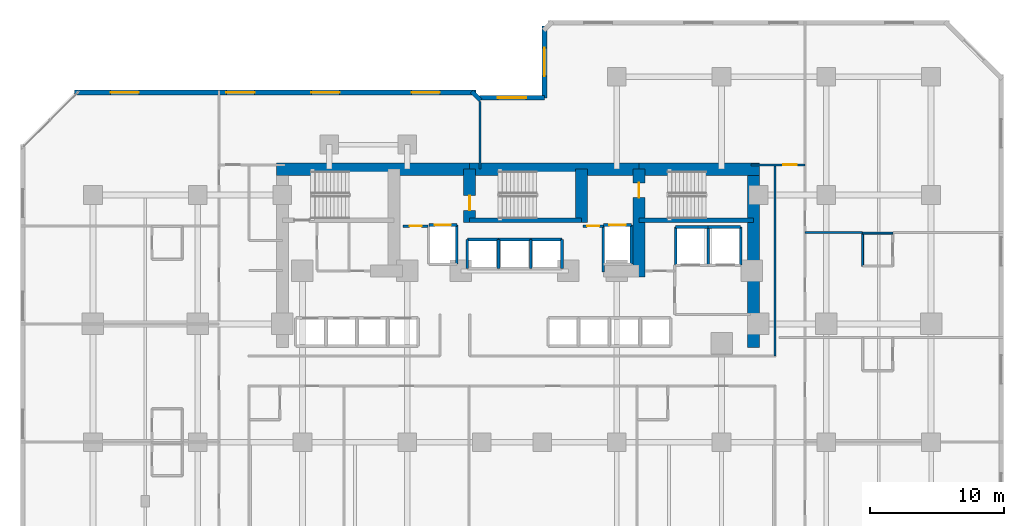
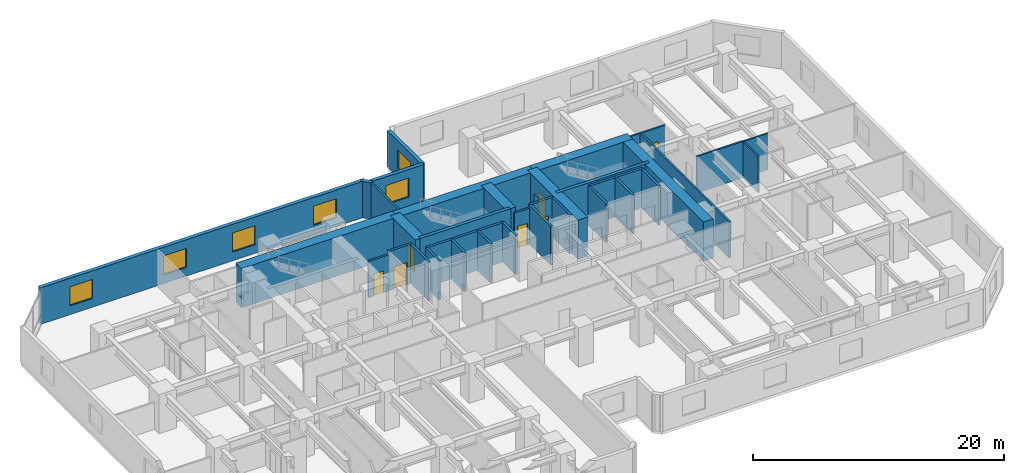
# One storey, part 8 of 11: 38 walls, 7 doors, 6 windows, 13 openings.
"""IFC4 building model written with IfcOpenShell, lengths in metres."""

import ifcopenshell
import ifcopenshell.guid

model = None  # the IFC model being written
_history = None  # IfcOwnerHistory: only IFC2X3 demands one
_inside = {}  # id of a spatial element -> (the spatial element, [elements in it])
_under = {}  # id of a project, library or spatial element -> (it, [spatial elements below it])
_declared = {}  # id of a project -> (the project, [libraries it declares])
_typed = {}  # id of a type object -> (the type object, [elements of that type])
_made_of = {}  # id of a material, layer set ... -> (it, [elements and type objects made of it])


def new_model(schema):
    """Start an empty IFC model of exactly this schema.

    Asked for "IFC4X3", IfcOpenShell would pick the latest addendum, in which some entities
    have other attributes; the version numbers below select the first issue.
    IFC2X3 requires an IfcOwnerHistory on every rooted entity: one is made here for all.
    """
    global model, _history
    if schema == "IFC4X3":
        model = ifcopenshell.file(schema_version=(4, 3, 0, 0))
    else:
        model = ifcopenshell.file(schema=schema)
    _inside.clear()
    _under.clear()
    _declared.clear()
    _typed.clear()
    _made_of.clear()
    _history = None
    if model.schema == "IFC2X3":
        org = make("IfcOrganization", Name="unknown")
        user = make(
            "IfcPersonAndOrganization",
            ThePerson=make("IfcPerson", FamilyName="unknown"),
            TheOrganization=org,
        )
        app = make(
            "IfcApplication",
            ApplicationDeveloper=org,
            Version="unknown",
            ApplicationFullName="unknown",
            ApplicationIdentifier="unknown",
        )
        _history = make(
            "IfcOwnerHistory",
            OwningUser=user,
            OwningApplication=app,
            ChangeAction="ADDED",
            CreationDate=0,
        )
    return model


def make(cls, **values):
    """One entity of the class cls with the attributes given. An attribute that is None is left unset."""
    return model.create_entity(
        cls, **{name: value for name, value in values.items() if value is not None}
    )


def rooted(cls, **values):
    """An entity with a GlobalId (a new one), such as an element, a storey or a relation."""
    return make(cls, GlobalId=ifcopenshell.guid.new(), OwnerHistory=_history, **values)


def si_unit(unit_type, name, prefix=None):
    """IfcSIUnit, for example si_unit("LENGTHUNIT", "METRE", prefix="MILLI")."""
    return make("IfcSIUnit", UnitType=unit_type, Prefix=prefix, Name=name)


def assignment(units):
    """IfcUnitAssignment: the units of a project."""
    return None if units is None else make("IfcUnitAssignment", Units=units)


def point(xyz):
    """IfcCartesianPoint."""
    return None if xyz is None else make("IfcCartesianPoint", Coordinates=xyz)


def direction(xyz):
    """IfcDirection."""
    return None if xyz is None else make("IfcDirection", DirectionRatios=xyz)


def frame(location, z_axis=None, x_axis=None):
    """IfcAxis2Placement3D, a coordinate frame: its origin and axes. An axis left out is left unset."""
    return make(
        "IfcAxis2Placement3D",
        Location=point(location),
        Axis=direction(z_axis),
        RefDirection=direction(x_axis),
    )


def frame_2d(location, x_axis=None):
    """IfcAxis2Placement2D, a coordinate frame in the plane: its origin and x axis."""
    return make(
        "IfcAxis2Placement2D", Location=point(location), RefDirection=direction(x_axis)
    )


def origin():
    """The frame at (0, 0, 0) with its axes left unset."""
    return frame((0.0, 0.0, 0.0))


def place(relative_to, where):
    """IfcLocalPlacement: puts the frame where relative to a parent placement (None: the world)."""
    return make(
        "IfcLocalPlacement", PlacementRelTo=relative_to, RelativePlacement=where
    )


def context(
    kind, dimensions, precision=None, world=None, true_north=None, identifier=None
):
    """IfcGeometricRepresentationContext, for example the 3D "Model" context."""
    return make(
        "IfcGeometricRepresentationContext",
        ContextIdentifier=identifier,
        ContextType=kind,
        CoordinateSpaceDimension=dimensions,
        Precision=precision,
        WorldCoordinateSystem=world,
        TrueNorth=true_north,
    )


def subcontext(parent, identifier, kind, view, scale=None):
    """IfcGeometricRepresentationSubContext, for example "Body" below "Model"."""
    return make(
        "IfcGeometricRepresentationSubContext",
        ContextIdentifier=identifier,
        ContextType=kind,
        ParentContext=parent,
        TargetScale=scale,
        TargetView=view,
    )


def project(units=None, contexts=None):
    """IfcProject with its units and contexts."""
    return rooted(
        "IfcProject",
        Name="project",
        RepresentationContexts=contexts,
        UnitsInContext=assignment(units),
    )


def spatial(cls, under=None, at=None, **own):
    """A site, building, storey or space (cls), placed at a placement, below another one or the project."""
    s = rooted(cls, ObjectPlacement=at, **own)
    if under is not None:
        _under.setdefault(under.id(), (under, []))[1].append(s)
    return s


def profile(cls, at=None, kind="AREA", **sizes):
    """A parametric profile (cls). Its sizes go by their IFC names, for example OverallWidth=200.0."""
    return make(cls, ProfileType=kind, Position=at, **sizes)


def rectangle(**sizes):
    """IfcRectangleProfileDef."""
    return profile("IfcRectangleProfileDef", **sizes)


def extrude(swept, where, along, depth):
    """IfcExtrudedAreaSolid: the profile swept, set in the frame where, extruded along a direction by depth."""
    return make(
        "IfcExtrudedAreaSolid",
        SweptArea=swept,
        Position=where,
        ExtrudedDirection=direction(along),
        Depth=depth,
    )


def shape(context_of_items, identifier, shape_type, items):
    """IfcShapeRepresentation: the items that make up one representation, for example the "Body"."""
    return make(
        "IfcShapeRepresentation",
        ContextOfItems=context_of_items,
        RepresentationIdentifier=identifier,
        RepresentationType=shape_type,
        Items=items,
    )


def material(Name=None, Category=None):
    """IfcMaterial."""
    return make("IfcMaterial", Name=Name, Category=Category)


def layer(
    of_material, thickness, ventilated=None, Name=None, Category=None, Priority=None
):
    """IfcMaterialLayer: one layer of a wall or slab, of a material (None: an air gap)."""
    return make(
        "IfcMaterialLayer",
        Material=of_material,
        LayerThickness=thickness,
        IsVentilated=ventilated,
        Name=Name,
        Category=Category,
        Priority=Priority,
    )


def layer_set(layers, Name=None):
    """IfcMaterialLayerSet."""
    return make("IfcMaterialLayerSet", MaterialLayers=layers, LayerSetName=Name)


def made_of(thing, what):
    """Note that an element or type object is made of a material, layer set ...; save() writes the relation."""
    if what is not None:
        _made_of.setdefault(what.id(), (what, []))[1].append(thing)
    return thing


def type_object(cls, material=None, **own):
    """A type object (cls), such as IfcWallType, which elements share."""
    return made_of(rooted(cls, **own), material)


def element(
    cls,
    number,
    at=None,
    inside=None,
    cuts=None,
    type_object=None,
    material=None,
    context=None,
    identifier="Body",
    shape_type=None,
    held_by="IfcProductDefinitionShape",
    body=None,
    shapes=None,
    **own,
):
    """One element of the class cls, such as IfcWall. Its Tag is "e" and its number.

    at: its placement. inside: the storey or other place that contains it. cuts: it is an
    opening in that element (IfcRelVoidsElement). A single representation is given by context,
    identifier, shape_type and body (its items); several are given by shapes. held_by: the class
    of the entity that holds the representations. save() writes the other relations.
    """
    e = rooted(cls, Tag="e%d" % number, ObjectPlacement=at, **own)
    if body is not None:
        shapes = [shape(context, identifier, shape_type, body)]
    if shapes is not None:
        e.Representation = make(held_by, Representations=shapes)
    if inside is not None:
        _inside.setdefault(inside.id(), (inside, []))[1].append(e)
    if cuts is not None:
        rooted(
            "IfcRelVoidsElement", RelatingBuildingElement=cuts, RelatedOpeningElement=e
        )
    if type_object is not None:
        _typed.setdefault(type_object.id(), (type_object, []))[1].append(e)
    return made_of(e, material)


def fill(opening, filler):
    """IfcRelFillsElement: the door or window that sits in an opening."""
    return rooted(
        "IfcRelFillsElement",
        RelatingOpeningElement=opening,
        RelatedBuildingElement=filler,
    )


def aggregate(whole, parts):
    """IfcRelAggregates: a whole, such as a stair, and the parts it consists of."""
    return rooted("IfcRelAggregates", RelatingObject=whole, RelatedObjects=parts)


def save(model, path):
    """Write the relations noted so far, then the file.

    IfcRelAggregates (storeys below a building ...), IfcRelContainedInSpatialStructure (elements
    in a storey), IfcRelDefinesByType, IfcRelAssociatesMaterial and IfcRelDeclares: one each for
    every whole, place, type object, material and project.
    """
    for whole, parts in _under.values():
        aggregate(whole, parts)
    for where, things in _inside.values():
        rooted(
            "IfcRelContainedInSpatialStructure",
            RelatedElements=things,
            RelatingStructure=where,
        )
    for kind, things in _typed.values():
        rooted("IfcRelDefinesByType", RelatedObjects=things, RelatingType=kind)
    for what, things in _made_of.values():
        rooted("IfcRelAssociatesMaterial", RelatedObjects=things, RelatingMaterial=what)
    for by, libraries in _declared.values():
        rooted("IfcRelDeclares", RelatingContext=by, RelatedDefinitions=libraries)
    model.write(path)


model = new_model("IFC4")

# Units and contexts
model_context = context("Model", 3, precision=1e-05, world=origin(), true_north=direction((0.0, 1.0)))
body_context = subcontext(model_context, "Body", "Model", "MODEL_VIEW")
ifc_project = project(units=[si_unit("LENGTHUNIT", "METRE"), si_unit("AREAUNIT", "SQUARE_METRE"), si_unit("VOLUMEUNIT", "CUBIC_METRE"), si_unit("PLANEANGLEUNIT", "RADIAN"), si_unit("MASSUNIT", "GRAM", prefix="KILO")], contexts=[model_context])

# Site, building, storey
site_placement = place(None, origin())
site = spatial("IfcSite", under=ifc_project, at=site_placement, CompositionType="ELEMENT")
building_placement = place(site_placement, origin())
building = spatial("IfcBuilding", under=site, at=building_placement, Name="Kestravale Grand Hotel", CompositionType="ELEMENT")
storey_placement = place(building_placement, frame((0.0, 0.0, 37.39990234375)))
storey = spatial("IfcBuildingStorey", under=building, at=storey_placement, Name="L08", CompositionType="ELEMENT", Elevation=37.39990234375)

# Walls
ifc_material_1 = material(Name="Concrete f'c 70 MPa", Category="concrete")
ifc_layer_1 = layer(ifc_material_1, 0.89990234375)
ifc_layer_set_1 = layer_set([ifc_layer_1], Name="EW-CORE-900")
wall_type_1 = type_object("IfcWallType", Name="EW-CORE-900", PredefinedType="SHEAR", material=ifc_layer_set_1)
wall_1_placement = place(storey_placement, frame((21.449951171875, 40.320068359375, 0.0), z_axis=(0.0, 0.0, 1.0), x_axis=(1.0, 0.0, 0.0)))
element("IfcWall", 1, at=wall_1_placement, inside=storey, type_object=wall_type_1, Name="L08 core shear wall N1", PredefinedType="SHEAR", context=body_context, shape_type="SweptSolid", body=[
    extrude(rectangle(XDim=14.400146484375, YDim=0.89990234375, at=frame_2d((7.2001953125, 0.0))), origin(), (0.0, 0.0, 1.0), 3.800048828125),
])
wall_2_placement = place(storey_placement, frame((35.85009765625, 40.320068359375, 0.0), z_axis=(0.0, 0.0, 1.0), x_axis=(1.0, 0.0, 0.0)))
element("IfcWall", 2, at=wall_2_placement, inside=storey, type_object=wall_type_1, Name="L08 core shear wall N2", PredefinedType="SHEAR", context=body_context, shape_type="SweptSolid", body=[
    extrude(rectangle(XDim=12.599853515625, YDim=0.89990234375, at=frame_2d((6.2998046875, 0.0))), origin(), (0.0, 0.0, 1.0), 3.800048828125),
])
wall_3_placement = place(storey_placement, frame((48.449951171875, 40.320068359375, 0.0), z_axis=(0.0, 0.0, 1.0), x_axis=(1.0, 0.0, 0.0)))
element("IfcWall", 3, at=wall_3_placement, inside=storey, type_object=wall_type_1, Name="L08 core shear wall N3", PredefinedType="SHEAR", context=body_context, shape_type="SweptSolid", body=[
    extrude(rectangle(XDim=8.969970703125, YDim=0.89990234375, at=frame_2d((4.48486328125, 0.0))), origin(), (0.0, 0.0, 1.0), 3.800048828125),
])
wall_4_placement = place(storey_placement, frame((56.969970703125, 27.050048828125, 0.0), z_axis=(0.0, 0.0, 1.0), x_axis=(0.0, 1.0, 0.0)))
element("IfcWall", 4, at=wall_4_placement, inside=storey, type_object=wall_type_1, Name="L08 core shear wall E1", PredefinedType="SHEAR", context=body_context, shape_type="SweptSolid", body=[
    extrude(rectangle(XDim=13.719970703125, YDim=0.89990234375, at=frame_2d((6.85986328125, 0.0))), origin(), (0.0, 0.0, 1.0), 3.800048828125),
])

# Wall, opening, door
wall_5_placement = place(storey_placement, frame((35.85009765625, 36.3701171875, 0.0), z_axis=(0.0, 0.0, 1.0), x_axis=(0.0, 1.0, 0.0)))
wall_5 = element("IfcWall", 5, at=wall_5_placement, inside=storey, type_object=wall_type_1, Name="L08 core shear wall X2", PredefinedType="SHEAR", context=body_context, shape_type="SweptSolid", body=[
    extrude(rectangle(XDim=3.949951171875, YDim=0.89990234375, at=frame_2d((1.97509765625, 0.0))), origin(), (0.0, 0.0, 1.0), 3.800048828125),
])
opening_1_placement = place(wall_5_placement, frame((0.8798828125, 0.0, 0.0)))
opening_1 = element("IfcOpeningElement", 6, at=opening_1_placement, cuts=wall_5, Name="Opening D-ST-1100", PredefinedType="OPENING", context=body_context, shape_type="SweptSolid", body=[
    extrude(rectangle(XDim=1.10009765625, YDim=2.14990234375, at=frame_2d((0.550048828125, 1.074951171875))), frame((0.0, 0.4599609375, 0.0), z_axis=(0.0, -1.0, 0.0), x_axis=(1.0, 0.0, 0.0)), (0.0, 0.0, 1.0), 0.919921875),
])
ifc_material_2 = material(Name="Galvanised 90-minute fire-rated steel stair door", Category="steel")
door_type_1 = type_object("IfcDoorType", Name="D-ST-1100", OperationType="NOTDEFINED", PredefinedType="DOOR", material=ifc_material_2)
door_1_placement = place(opening_1_placement, origin())
door_1 = element("IfcDoor", 7, at=door_1_placement, inside=storey, type_object=door_type_1, Name="L08 Stair ST-2 FSAE fire door", OperationType="SINGLE_SWING_RIGHT", OverallHeight=2.14990234375, OverallWidth=1.10009765625, PredefinedType="DOOR", context=body_context, shape_type="SweptSolid", body=[
    extrude(rectangle(XDim=1.10009765625, YDim=2.14990234375, at=frame_2d((0.550048828125, 1.074951171875))), frame((0.0, 0.02490234375, 0.0), z_axis=(0.0, -1.0, 0.0), x_axis=(1.0, 0.0, 0.0)), (0.0, 0.0, 1.0), 0.050048828125),
])
fill(opening_1, door_1)

# Wall
wall_6_placement = place(storey_placement, frame((44.179931640625, 36.3701171875, 0.0), z_axis=(0.0, 0.0, 1.0), x_axis=(0.0, 1.0, 0.0)))
element("IfcWall", 8, at=wall_6_placement, inside=storey, type_object=wall_type_1, Name="L08 core shear wall X3", PredefinedType="SHEAR", context=body_context, shape_type="SweptSolid", body=[
    extrude(rectangle(XDim=3.949951171875, YDim=0.89990234375, at=frame_2d((1.97509765625, 0.0))), origin(), (0.0, 0.0, 1.0), 3.800048828125),
])

# Wall, opening, door
wall_7_placement = place(storey_placement, frame((48.449951171875, 32.300048828125, 0.0), z_axis=(0.0, 0.0, 1.0), x_axis=(0.0, 1.0, 0.0)))
wall_7 = element("IfcWall", 9, at=wall_7_placement, inside=storey, type_object=wall_type_1, Name="L08 core shear wall X4", PredefinedType="SHEAR", context=body_context, shape_type="SweptSolid", body=[
    extrude(rectangle(XDim=8.02001953125, YDim=0.89990234375, at=frame_2d((4.010009765625, 0.0))), origin(), (0.0, 0.0, 1.0), 3.800048828125),
])
opening_2_placement = place(wall_7_placement, frame((5.89990234375, 0.0, 0.0)))
opening_2 = element("IfcOpeningElement", 10, at=opening_2_placement, cuts=wall_7, Name="Opening D-ST-1100", PredefinedType="OPENING", context=body_context, shape_type="SweptSolid", body=[
    extrude(rectangle(XDim=1.10009765625, YDim=2.14990234375, at=frame_2d((0.550048828125, 1.074951171875))), frame((0.0, 0.4599609375, 0.0), z_axis=(0.0, -1.0, 0.0), x_axis=(1.0, 0.0, 0.0)), (0.0, 0.0, 1.0), 0.919921875),
])
door_2_placement = place(opening_2_placement, origin())
door_2 = element("IfcDoor", 11, at=door_2_placement, inside=storey, type_object=door_type_1, Name="L08 Stair ST-3 FSAE fire door", OperationType="SINGLE_SWING_RIGHT", OverallHeight=2.14990234375, OverallWidth=1.10009765625, PredefinedType="DOOR", context=body_context, shape_type="SweptSolid", body=[
    extrude(rectangle(XDim=1.10009765625, YDim=2.14990234375, at=frame_2d((0.550048828125, 1.074951171875))), frame((0.0, 0.02490234375, 0.0), z_axis=(0.0, -1.0, 0.0), x_axis=(1.0, 0.0, 0.0)), (0.0, 0.0, 1.0), 0.050048828125),
])
fill(opening_2, door_2)

# Wall, opening, window
ifc_material_3 = material(Name="Precast concrete f'c 45 MPa", Category="concrete")
ifc_layer_2 = layer(ifc_material_3, 0.340087890625)
ifc_layer_set_2 = layer_set([ifc_layer_2], Name="EW-PREC-340")
wall_type_2 = type_object("IfcWallType", Name="EW-PREC-340", PredefinedType="SOLIDWALL", material=ifc_layer_set_2)
wall_8_placement = place(storey_placement, frame((41.419921875, 50.969970703125, 0.0), z_axis=(0.0, 0.0, 1.0), x_axis=(0.0, -1.0, 0.0)))
wall_8 = element("IfcWall", 12, at=wall_8_placement, inside=storey, type_object=wall_type_2, Name="L08 fluted precast facade wall 13", PredefinedType="SOLIDWALL", context=body_context, shape_type="SweptSolid", body=[
    extrude(rectangle(XDim=5.340087890625, YDim=0.340087890625, at=frame_2d((2.669921875, 0.0))), origin(), (0.0, 0.0, 1.0), 3.5400390625),
])
opening_3_placement = place(wall_8_placement, frame((1.6201171875, 0.0, 0.85009765625)))
opening_3 = element("IfcOpeningElement", 13, at=opening_3_placement, cuts=wall_8, Name="Opening W-GUEST-2100", PredefinedType="OPENING", context=body_context, shape_type="SweptSolid", body=[
    extrude(rectangle(XDim=2.10009765625, YDim=1.85009765625, at=frame_2d((1.050048828125, 0.925048828125))), frame((0.0, 0.179931640625, 0.0), z_axis=(0.0, -1.0, 0.0), x_axis=(1.0, 0.0, 0.0)), (0.0, 0.0, 1.0), 0.360107421875),
])
ifc_material_4 = material(Name="Insulated low-E double glazing in aluminium frame", Category="aluminium")
window_type = type_object("IfcWindowType", Name="W-GUEST-2100", PartitioningType="DOUBLE_PANEL_VERTICAL", PredefinedType="WINDOW", material=ifc_material_4)
window_1_placement = place(opening_3_placement, origin())
window_1 = element("IfcWindow", 14, at=window_1_placement, inside=storey, type_object=window_type, Name="L08 exterior window 13.1", OverallHeight=1.85009765625, OverallWidth=2.10009765625, PartitioningType="SINGLE_PANEL", PredefinedType="WINDOW", context=body_context, shape_type="SweptSolid", body=[
    extrude(rectangle(XDim=2.10009765625, YDim=1.85009765625, at=frame_2d((1.050048828125, 0.925048828125))), frame((0.0, 0.030029296875, 0.0), z_axis=(0.0, -1.0, 0.0), x_axis=(1.0, 0.0, 0.0)), (0.0, 0.0, 1.0), 0.06005859375),
])
fill(opening_3, window_1)

wall_9_placement = place(storey_placement, frame((41.419921875, 45.6298828125, 0.0), z_axis=(0.0, 0.0, 1.0), x_axis=(-1.0, 0.0, 0.0)))
wall_9 = element("IfcWall", 15, at=wall_9_placement, inside=storey, type_object=wall_type_2, Name="L08 fluted precast facade wall 14", PredefinedType="SOLIDWALL", context=body_context, shape_type="SweptSolid", body=[
    extrude(rectangle(XDim=4.83984375, YDim=0.340087890625, at=frame_2d((2.419921875, 0.0))), origin(), (0.0, 0.0, 1.0), 3.5400390625),
])
opening_4_placement = place(wall_9_placement, frame((1.3701171875, 0.0, 0.85009765625)))
opening_4 = element("IfcOpeningElement", 16, at=opening_4_placement, cuts=wall_9, Name="Opening W-GUEST-2100", PredefinedType="OPENING", context=body_context, shape_type="SweptSolid", body=[
    extrude(rectangle(XDim=2.10009765625, YDim=1.85009765625, at=frame_2d((1.050048828125, 0.925048828125))), frame((0.0, 0.179931640625, 0.0), z_axis=(0.0, -1.0, 0.0), x_axis=(1.0, 0.0, 0.0)), (0.0, 0.0, 1.0), 0.360107421875),
])
window_2_placement = place(opening_4_placement, origin())
window_2 = element("IfcWindow", 17, at=window_2_placement, inside=storey, type_object=window_type, Name="L08 exterior window 14.1", OverallHeight=1.85009765625, OverallWidth=2.10009765625, PartitioningType="SINGLE_PANEL", PredefinedType="WINDOW", context=body_context, shape_type="SweptSolid", body=[
    extrude(rectangle(XDim=2.10009765625, YDim=1.85009765625, at=frame_2d((1.050048828125, 0.925048828125))), frame((0.0, 0.030029296875, 0.0), z_axis=(0.0, -1.0, 0.0), x_axis=(1.0, 0.0, 0.0)), (0.0, 0.0, 1.0), 0.06005859375),
])
fill(opening_4, window_2)

# Wall
wall_10_placement = place(storey_placement, frame((36.658203125, 45.451416015625, 0.0), z_axis=(0.0, 0.0, 1.0), x_axis=(-0.707106781187, 0.707106781187, 0.0)))
element("IfcWall", 18, at=wall_10_placement, inside=storey, type_object=wall_type_2, Name="L08 fluted precast facade wall 16", PredefinedType="SOLIDWALL", context=body_context, shape_type="SweptSolid", body=[
    extrude(rectangle(XDim=0.9287109375, YDim=0.340087890625, at=frame_2d((0.46435546875, 0.0))), origin(), (0.0, 0.0, 1.0), 3.5400390625),
])

# Wall, openings, windows
wall_11_placement = place(storey_placement, frame((36.320068359375, 46.030029296875, 0.0), z_axis=(0.0, 0.0, 1.0), x_axis=(-1.0, 0.0, 0.0)))
wall_11 = element("IfcWall", 19, at=wall_11_placement, inside=storey, type_object=wall_type_2, Name="L08 fluted precast facade wall 17", PredefinedType="SOLIDWALL", context=body_context, shape_type="SweptSolid", body=[
    extrude(rectangle(XDim=29.89013671875, YDim=0.340087890625, at=frame_2d((14.945068359375, 0.0))), origin(), (0.0, 0.0, 1.0), 3.5400390625),
])
opening_5_placement = place(wall_11_placement, frame((2.686279296875, 0.0, 0.85009765625)))
opening_5 = element("IfcOpeningElement", 20, at=opening_5_placement, cuts=wall_11, Name="Opening W-GUEST-2100", PredefinedType="OPENING", context=body_context, shape_type="SweptSolid", body=[
    extrude(rectangle(XDim=2.10009765625, YDim=1.85009765625, at=frame_2d((1.050048828125, 0.925048828125))), frame((0.0, 0.179931640625, 0.0), z_axis=(0.0, -1.0, 0.0), x_axis=(1.0, 0.0, 0.0)), (0.0, 0.0, 1.0), 0.360107421875),
])
opening_6_placement = place(wall_11_placement, frame((10.15869140625, 0.0, 0.85009765625)))
opening_6 = element("IfcOpeningElement", 21, at=opening_6_placement, cuts=wall_11, Name="Opening W-GUEST-2100", PredefinedType="OPENING", context=body_context, shape_type="SweptSolid", body=[
    extrude(rectangle(XDim=2.10009765625, YDim=1.85009765625, at=frame_2d((1.050048828125, 0.925048828125))), frame((0.0, 0.179931640625, 0.0), z_axis=(0.0, -1.0, 0.0), x_axis=(1.0, 0.0, 0.0)), (0.0, 0.0, 1.0), 0.360107421875),
])
opening_7_placement = place(wall_11_placement, frame((16.481201171875, 0.0, 0.85009765625)))
opening_7 = element("IfcOpeningElement", 22, at=opening_7_placement, cuts=wall_11, Name="Opening W-GUEST-2100", PredefinedType="OPENING", context=body_context, shape_type="SweptSolid", body=[
    extrude(rectangle(XDim=2.10009765625, YDim=1.85009765625, at=frame_2d((1.050048828125, 0.925048828125))), frame((0.0, 0.179931640625, 0.0), z_axis=(0.0, -1.0, 0.0), x_axis=(1.0, 0.0, 0.0)), (0.0, 0.0, 1.0), 0.360107421875),
])
opening_8_placement = place(wall_11_placement, frame((25.103759765625, 0.0, 0.85009765625)))
opening_8 = element("IfcOpeningElement", 23, at=opening_8_placement, cuts=wall_11, Name="Opening W-GUEST-2100", PredefinedType="OPENING", context=body_context, shape_type="SweptSolid", body=[
    extrude(rectangle(XDim=2.10009765625, YDim=1.85009765625, at=frame_2d((1.050048828125, 0.925048828125))), frame((0.0, 0.179931640625, 0.0), z_axis=(0.0, -1.0, 0.0), x_axis=(1.0, 0.0, 0.0)), (0.0, 0.0, 1.0), 0.360107421875),
])
window_3_placement = place(opening_5_placement, origin())
window_3 = element("IfcWindow", 24, at=window_3_placement, inside=storey, type_object=window_type, Name="L08 exterior window 17.1", OverallHeight=1.85009765625, OverallWidth=2.10009765625, PartitioningType="SINGLE_PANEL", PredefinedType="WINDOW", context=body_context, shape_type="SweptSolid", body=[
    extrude(rectangle(XDim=2.10009765625, YDim=1.85009765625, at=frame_2d((1.050048828125, 0.925048828125))), frame((0.0, 0.030029296875, 0.0), z_axis=(0.0, -1.0, 0.0), x_axis=(1.0, 0.0, 0.0)), (0.0, 0.0, 1.0), 0.06005859375),
])
fill(opening_5, window_3)
window_4_placement = place(opening_6_placement, origin())
window_4 = element("IfcWindow", 25, at=window_4_placement, inside=storey, type_object=window_type, Name="L08 exterior window 17.2", OverallHeight=1.85009765625, OverallWidth=2.10009765625, PartitioningType="SINGLE_PANEL", PredefinedType="WINDOW", context=body_context, shape_type="SweptSolid", body=[
    extrude(rectangle(XDim=2.10009765625, YDim=1.85009765625, at=frame_2d((1.050048828125, 0.925048828125))), frame((0.0, 0.030029296875, 0.0), z_axis=(0.0, -1.0, 0.0), x_axis=(1.0, 0.0, 0.0)), (0.0, 0.0, 1.0), 0.06005859375),
])
fill(opening_6, window_4)
window_5_placement = place(opening_7_placement, origin())
window_5 = element("IfcWindow", 26, at=window_5_placement, inside=storey, type_object=window_type, Name="L08 exterior window 17.3", OverallHeight=1.85009765625, OverallWidth=2.10009765625, PartitioningType="SINGLE_PANEL", PredefinedType="WINDOW", context=body_context, shape_type="SweptSolid", body=[
    extrude(rectangle(XDim=2.10009765625, YDim=1.85009765625, at=frame_2d((1.050048828125, 0.925048828125))), frame((0.0, 0.030029296875, 0.0), z_axis=(0.0, -1.0, 0.0), x_axis=(1.0, 0.0, 0.0)), (0.0, 0.0, 1.0), 0.06005859375),
])
fill(opening_7, window_5)
window_6_placement = place(opening_8_placement, origin())
window_6 = element("IfcWindow", 27, at=window_6_placement, inside=storey, type_object=window_type, Name="L08 exterior window 17.4", OverallHeight=1.85009765625, OverallWidth=2.10009765625, PartitioningType="SINGLE_PANEL", PredefinedType="WINDOW", context=body_context, shape_type="SweptSolid", body=[
    extrude(rectangle(XDim=2.10009765625, YDim=1.85009765625, at=frame_2d((1.050048828125, 0.925048828125))), frame((0.0, 0.030029296875, 0.0), z_axis=(0.0, -1.0, 0.0), x_axis=(1.0, 0.0, 0.0)), (0.0, 0.0, 1.0), 0.06005859375),
])
fill(opening_8, window_6)

# Walls
ifc_material_5 = material(Name="Concrete f'c 45 MPa", Category="concrete")
ifc_layer_3 = layer(ifc_material_5, 0.300048828125)
ifc_layer_set_3 = layer_set([ifc_layer_3], Name="EW-STAIR-300")
wall_type_3 = type_object("IfcWallType", Name="EW-STAIR-300", PredefinedType="SHEAR", material=ifc_layer_set_3)
wall_12_placement = place(storey_placement, frame((35.85009765625, 36.52001953125, 0.0), z_axis=(0.0, 0.0, 1.0), x_axis=(1.0, 0.0, 0.0)))
element("IfcWall", 28, at=wall_12_placement, inside=storey, type_object=wall_type_3, Name="L08 stair enclosure shear wall SST2", PredefinedType="SHEAR", context=body_context, shape_type="SweptSolid", body=[
    extrude(rectangle(XDim=8.329833984375, YDim=0.300048828125, at=frame_2d((4.1650390625, 0.0))), origin(), (0.0, 0.0, 1.0), 3.800048828125),
])
wall_13_placement = place(storey_placement, frame((48.449951171875, 36.52001953125, 0.0), z_axis=(0.0, 0.0, 1.0), x_axis=(1.0, 0.0, 0.0)))
element("IfcWall", 29, at=wall_13_placement, inside=storey, type_object=wall_type_3, Name="L08 stair enclosure shear wall SST3", PredefinedType="SHEAR", context=body_context, shape_type="SweptSolid", body=[
    extrude(rectangle(XDim=8.52001953125, YDim=0.300048828125, at=frame_2d((4.260009765625, 0.0))), origin(), (0.0, 0.0, 1.0), 3.800048828125),
])
ifc_material_6 = material(Name="Acoustic fire-rated gypsum board partition", Category="other")
ifc_layer_4 = layer(ifc_material_6, 0.159912109375)
ifc_layer_set_4 = layer_set([ifc_layer_4], Name="IW-CORR-160")
wall_type_4 = type_object("IfcWallType", Name="IW-CORR-160", PredefinedType="PARTITIONING", material=ifc_layer_set_4)
wall_14_placement = place(storey_placement, frame((58.590087890625, 26.409912109375, 0.0), z_axis=(0.0, 0.0, 1.0), x_axis=(0.0, 1.0, 0.0)))
element("IfcWall", 30, at=wall_14_placement, inside=storey, type_object=wall_type_4, Name="W-L08-SE-WU", PredefinedType="PARTITIONING", context=body_context, shape_type="SweptSolid", body=[
    extrude(rectangle(XDim=14.239990234375, YDim=0.159912109375, at=frame_2d((7.1201171875, 0.0))), origin(), (0.0, 0.0, 1.0), 3.5400390625),
])

# Wall, opening, door
ifc_material_7 = material(Name="Fire-rated gypsum board on steel studs with mineral wool", Category="steel")
ifc_layer_5 = layer(ifc_material_7, 0.179931640625)
ifc_layer_set_5 = layer_set([ifc_layer_5], Name="IW-FSAE-180")
wall_type_5 = type_object("IfcWallType", Name="IW-FSAE-180", PredefinedType="PARTITIONING", material=ifc_layer_set_5)
wall_15_placement = place(storey_placement, frame((30.89990234375, 36.080078125, 0.0), z_axis=(0.0, 0.0, 1.0), x_axis=(1.0, 0.0, 0.0)))
wall_15 = element("IfcWall", 31, at=wall_15_placement, inside=storey, type_object=wall_type_5, Name="L08 FSAE Lobby 1 smoke barrier", PredefinedType="PARTITIONING", context=body_context, shape_type="SweptSolid", body=[
    extrude(rectangle(XDim=1.85009765625, YDim=0.179931640625, at=frame_2d((0.925048828125, 0.0))), origin(), (0.0, 0.0, 1.0), 3.5400390625),
])
opening_9_placement = place(wall_15_placement, frame((0.47998046875, 0.0, 0.0)))
opening_9 = element("IfcOpeningElement", 32, at=opening_9_placement, cuts=wall_15, Name="Opening D-FSAE-1000", PredefinedType="OPENING", context=body_context, shape_type="SweptSolid", body=[
    extrude(rectangle(XDim=0.89990234375, YDim=2.14990234375, at=frame_2d((0.449951171875, 1.074951171875))), frame((0.0, 0.099853515625, 0.0), z_axis=(0.0, -1.0, 0.0), x_axis=(1.0, 0.0, 0.0)), (0.0, 0.0, 1.0), 0.199951171875),
])
ifc_material_8 = material(Name="Smoke-gasketed FSAE lobby fire door", Category="steel")
door_type_2 = type_object("IfcDoorType", Name="D-FSAE-1000", OperationType="NOTDEFINED", PredefinedType="DOOR", material=ifc_material_8)
door_3_placement = place(opening_9_placement, origin())
door_3 = element("IfcDoor", 33, at=door_3_placement, inside=storey, type_object=door_type_2, Name="L08 FSAE Lobby 1 fire door", OperationType="SINGLE_SWING_RIGHT", OverallHeight=2.14990234375, OverallWidth=0.89990234375, PredefinedType="DOOR", context=body_context, shape_type="SweptSolid", body=[
    extrude(rectangle(XDim=0.89990234375, YDim=2.14990234375, at=frame_2d((0.449951171875, 1.074951171875))), frame((0.0, 0.02490234375, 0.0), z_axis=(0.0, -1.0, 0.0), x_axis=(1.0, 0.0, 0.0)), (0.0, 0.0, 1.0), 0.050048828125),
])
fill(opening_9, door_3)

wall_16_placement = place(storey_placement, frame((44.300048828125, 36.080078125, 0.0), z_axis=(0.0, 0.0, 1.0), x_axis=(1.0, 0.0, 0.0)))
wall_16 = element("IfcWall", 34, at=wall_16_placement, inside=storey, type_object=wall_type_5, Name="L08 FSAE Lobby 2 smoke barrier", PredefinedType="PARTITIONING", context=body_context, shape_type="SweptSolid", body=[
    extrude(rectangle(XDim=1.5, YDim=0.179931640625, at=frame_2d((0.75, 0.0))), origin(), (0.0, 0.0, 1.0), 3.5400390625),
])
opening_10_placement = place(wall_16_placement, frame((0.300048828125, 0.0, 0.0)))
opening_10 = element("IfcOpeningElement", 35, at=opening_10_placement, cuts=wall_16, Name="Opening D-FSAE-1000", PredefinedType="OPENING", context=body_context, shape_type="SweptSolid", body=[
    extrude(rectangle(XDim=0.89990234375, YDim=2.14990234375, at=frame_2d((0.449951171875, 1.074951171875))), frame((0.0, 0.099853515625, 0.0), z_axis=(0.0, -1.0, 0.0), x_axis=(1.0, 0.0, 0.0)), (0.0, 0.0, 1.0), 0.199951171875),
])
door_4_placement = place(opening_10_placement, origin())
door_4 = element("IfcDoor", 36, at=door_4_placement, inside=storey, type_object=door_type_2, Name="L08 FSAE Lobby 2 fire door", OperationType="SINGLE_SWING_LEFT", OverallHeight=2.14990234375, OverallWidth=0.89990234375, PredefinedType="DOOR", context=body_context, shape_type="SweptSolid", body=[
    extrude(rectangle(XDim=0.89990234375, YDim=2.14990234375, at=frame_2d((0.449951171875, 1.074951171875))), frame((0.0, 0.02490234375, 0.0), z_axis=(0.0, -1.0, 0.0), x_axis=(1.0, 0.0, 0.0)), (0.0, 0.0, 1.0), 0.050048828125),
])
fill(opening_10, door_4)

# Walls
ifc_material_9 = material(Name="Moisture-resistant tile-backer plumbing chase wall", Category="other")
ifc_layer_6 = layer(ifc_material_9, 0.139892578125)
ifc_layer_set_6 = layer_set([ifc_layer_6], Name="IW-PLB-140")
wall_type_6 = type_object("IfcWallType", Name="IW-PLB-140", PredefinedType="PLUMBINGWALL", material=ifc_layer_set_6)
wall_17_placement = place(storey_placement, frame((65.10009765625, 33.110107421875, 0.0), z_axis=(0.0, 0.0, 1.0), x_axis=(0.0, 1.0, 0.0)))
element("IfcWall", 37, at=wall_17_placement, inside=storey, type_object=wall_type_6, Name="W-L08-U09-BW", PredefinedType="PLUMBINGWALL", context=body_context, shape_type="SweptSolid", body=[
    extrude(rectangle(XDim=2.449951171875, YDim=0.139892578125, at=frame_2d((1.22509765625, 0.0))), origin(), (0.0, 0.0, 1.0), 3.5400390625),
])
wall_18_placement = place(storey_placement, frame((65.10009765625, 35.56005859375, 0.0), z_axis=(0.0, 0.0, 1.0), x_axis=(1.0, 0.0, 0.0)))
element("IfcWall", 38, at=wall_18_placement, inside=storey, type_object=wall_type_6, Name="W-L08-U09-BN", PredefinedType="PLUMBINGWALL", context=body_context, shape_type="SweptSolid", body=[
    extrude(rectangle(XDim=2.25, YDim=0.139892578125, at=frame_2d((1.125, 0.0))), origin(), (0.0, 0.0, 1.0), 3.5400390625),
])
ifc_material_10 = material(Name="Concrete f'c 45 MPa", Category="concrete")
ifc_layer_7 = layer(ifc_material_10, 0.199951171875)
ifc_layer_set_7 = layer_set([ifc_layer_7], Name="IW-SHAFT-200")
wall_type_7 = type_object("IfcWallType", Name="IW-SHAFT-200", PredefinedType="SHEAR", material=ifc_layer_set_7)
for number, where, z_axis, x_axis, name in (
    (39, (35.679931640625, 32.919921875, 0.0), (0.0, 0.0, 1.0), (0.0, 1.0, 0.0), "L08 PL-X1 west shaft wall"),
    (40, (38.0, 32.919921875, 0.0), (0.0, 0.0, 1.0), (0.0, 1.0, 0.0), "L08 PL-X2 west shaft wall"),
    (41, (40.39990234375, 32.919921875, 0.0), (0.0, 0.0, 1.0), (0.0, 1.0, 0.0), "L08 PL-X3 west shaft wall"),
    (42, (42.719970703125, 32.919921875, 0.0), (0.0, 0.0, 1.0), (0.0, 1.0, 0.0), "L08 PL-X3 east shaft wall"),
):
    element("IfcWall", number, at=place(storey_placement, frame(where, z_axis=z_axis, x_axis=x_axis)), inside=storey, type_object=wall_type_7, Name=name, PredefinedType="SHEAR", context=body_context, shape_type="SweptSolid", body=[
        extrude(rectangle(XDim=2.16015625, YDim=0.199951171875, at=frame_2d((1.080078125, 0.0))), origin(), (0.0, 0.0, 1.0), 3.800048828125),
    ])
for number, where, z_axis, x_axis, name in (
    (43, (51.179931640625, 33.169921875, 0.0), (0.0, 0.0, 1.0), (0.0, 1.0, 0.0), "L08 SL-1 west shaft wall"),
    (44, (53.60009765625, 33.169921875, 0.0), (0.0, 0.0, 1.0), (0.0, 1.0, 0.0), "L08 SL-2 west shaft wall"),
    (45, (56.02001953125, 33.169921875, 0.0), (0.0, 0.0, 1.0), (0.0, 1.0, 0.0), "L08 SL-2 east shaft wall"),
):
    element("IfcWall", number, at=place(storey_placement, frame(where, z_axis=z_axis, x_axis=x_axis)), inside=storey, type_object=wall_type_7, Name=name, PredefinedType="SHEAR", context=body_context, shape_type="SweptSolid", body=[
        extrude(rectangle(XDim=2.860107421875, YDim=0.199951171875, at=frame_2d((1.43017578125, 0.0))), origin(), (0.0, 0.0, 1.0), 3.800048828125),
    ])
wall_19_placement = place(storey_placement, frame((34.89501953125, 33.2451171875, 0.0), z_axis=(0.0, 0.0, 1.0), x_axis=(0.0, 1.0, 0.0)))
element("IfcWall", 46, at=wall_19_placement, inside=storey, type_object=wall_type_7, Name="L08 FL-1 east shaft wall", PredefinedType="SHEAR", context=body_context, shape_type="SweptSolid", body=[
    extrude(rectangle(XDim=2.909912109375, YDim=0.199951171875, at=frame_2d((1.455078125, 0.0))), origin(), (0.0, 0.0, 1.0), 3.800048828125),
])
wall_20_placement = place(storey_placement, frame((45.804931640625, 32.64990234375, 0.0), z_axis=(0.0, 0.0, 1.0), x_axis=(0.0, 1.0, 0.0)))
element("IfcWall", 47, at=wall_20_placement, inside=storey, type_object=wall_type_7, Name="L08 FL-2 west shaft wall", PredefinedType="SHEAR", context=body_context, shape_type="SweptSolid", body=[
    extrude(rectangle(XDim=3.505126953125, YDim=0.199951171875, at=frame_2d((1.75244140625, 0.0))), origin(), (0.0, 0.0, 1.0), 3.800048828125),
])
wall_21_placement = place(storey_placement, frame((47.89501953125, 33.2451171875, 0.0), z_axis=(0.0, 0.0, 1.0), x_axis=(0.0, 1.0, 0.0)))
element("IfcWall", 48, at=wall_21_placement, inside=storey, type_object=wall_type_7, Name="L08 FL-2 east shaft wall", PredefinedType="SHEAR", context=body_context, shape_type="SweptSolid", body=[
    extrude(rectangle(XDim=2.909912109375, YDim=0.199951171875, at=frame_2d((1.455078125, 0.0))), origin(), (0.0, 0.0, 1.0), 3.800048828125),
])
ifc_material_11 = material(Name="Concrete f'c 45 MPa", Category="concrete")
ifc_layer_8 = layer(ifc_material_11, 0.219970703125)
ifc_layer_set_8 = layer_set([ifc_layer_8], Name="IW-SHAFT-220")
wall_type_8 = type_object("IfcWallType", Name="IW-SHAFT-220", PredefinedType="SHEAR", material=ifc_layer_set_8)
wall_22_placement = place(storey_placement, frame((35.679931640625, 35.080078125, 0.0), z_axis=(0.0, 0.0, 1.0), x_axis=(1.0, 0.0, 0.0)))
element("IfcWall", 49, at=wall_22_placement, inside=storey, type_object=wall_type_8, Name="L08 PL-X1 north shaft wall", PredefinedType="SHEAR", context=body_context, shape_type="SweptSolid", body=[
    extrude(rectangle(XDim=2.320068359375, YDim=0.219970703125, at=frame_2d((1.16015625, 0.0))), origin(), (0.0, 0.0, 1.0), 3.800048828125),
])
wall_23_placement = place(storey_placement, frame((38.0, 35.080078125, 0.0), z_axis=(0.0, 0.0, 1.0), x_axis=(1.0, 0.0, 0.0)))
element("IfcWall", 50, at=wall_23_placement, inside=storey, type_object=wall_type_8, Name="L08 PL-X2 north shaft wall", PredefinedType="SHEAR", context=body_context, shape_type="SweptSolid", body=[
    extrude(rectangle(XDim=2.39990234375, YDim=0.219970703125, at=frame_2d((1.199951171875, 0.0))), origin(), (0.0, 0.0, 1.0), 3.800048828125),
])
wall_24_placement = place(storey_placement, frame((40.39990234375, 35.080078125, 0.0), z_axis=(0.0, 0.0, 1.0), x_axis=(1.0, 0.0, 0.0)))
element("IfcWall", 51, at=wall_24_placement, inside=storey, type_object=wall_type_8, Name="L08 PL-X3 north shaft wall", PredefinedType="SHEAR", context=body_context, shape_type="SweptSolid", body=[
    extrude(rectangle(XDim=2.320068359375, YDim=0.219970703125, at=frame_2d((1.16015625, 0.0))), origin(), (0.0, 0.0, 1.0), 3.800048828125),
])
wall_25_placement = place(storey_placement, frame((51.179931640625, 36.030029296875, 0.0), z_axis=(0.0, 0.0, 1.0), x_axis=(1.0, 0.0, 0.0)))
element("IfcWall", 52, at=wall_25_placement, inside=storey, type_object=wall_type_8, Name="L08 SL-1 north shaft wall", PredefinedType="SHEAR", context=body_context, shape_type="SweptSolid", body=[
    extrude(rectangle(XDim=2.420166015625, YDim=0.219970703125, at=frame_2d((1.2099609375, 0.0))), origin(), (0.0, 0.0, 1.0), 3.800048828125),
])
wall_26_placement = place(storey_placement, frame((53.60009765625, 36.030029296875, 0.0), z_axis=(0.0, 0.0, 1.0), x_axis=(1.0, 0.0, 0.0)))
element("IfcWall", 53, at=wall_26_placement, inside=storey, type_object=wall_type_8, Name="L08 SL-2 north shaft wall", PredefinedType="SHEAR", context=body_context, shape_type="SweptSolid", body=[
    extrude(rectangle(XDim=2.419921875, YDim=0.219970703125, at=frame_2d((1.2099609375, 0.0))), origin(), (0.0, 0.0, 1.0), 3.800048828125),
])

# Wall, opening, door
wall_27_placement = place(storey_placement, frame((32.804931640625, 36.155029296875, 0.0), z_axis=(0.0, 0.0, 1.0), x_axis=(1.0, 0.0, 0.0)))
wall_27 = element("IfcWall", 54, at=wall_27_placement, inside=storey, type_object=wall_type_8, Name="L08 FL-1 north shaft wall", PredefinedType="SHEAR", context=body_context, shape_type="SweptSolid", body=[
    extrude(rectangle(XDim=2.090087890625, YDim=0.219970703125, at=frame_2d((1.044921875, 0.0))), origin(), (0.0, 0.0, 1.0), 3.800048828125),
])
opening_11_placement = place(wall_27_placement, frame((0.445068359375, 0.0, 0.0)))
opening_11 = element("IfcOpeningElement", 55, at=opening_11_placement, cuts=wall_27, Name="Opening LD-FSAE-1200", PredefinedType="OPENING", context=body_context, shape_type="SweptSolid", body=[
    extrude(rectangle(XDim=1.199951171875, YDim=2.14990234375, at=frame_2d((0.60009765625, 1.074951171875))), frame((0.0, 0.119873046875, 0.0), z_axis=(0.0, -1.0, 0.0), x_axis=(1.0, 0.0, 0.0)), (0.0, 0.0, 1.0), 0.239990234375),
])
ifc_material_12 = material(Name="Stainless fire-service sliding elevator landing door", Category="steel")
door_type_3 = type_object("IfcDoorType", Name="LD-FSAE-1200", OperationType="NOTDEFINED", PredefinedType="DOOR", material=ifc_material_12)
door_5_placement = place(opening_11_placement, origin())
door_5 = element("IfcDoor", 56, at=door_5_placement, inside=storey, type_object=door_type_3, Name="L08 FL-1 elevator landing sliding door", OperationType="DOUBLE_DOOR_SLIDING", OverallHeight=2.14990234375, OverallWidth=1.199951171875, PredefinedType="DOOR", context=body_context, shape_type="SweptSolid", body=[
    extrude(rectangle(XDim=1.199951171875, YDim=2.14990234375, at=frame_2d((0.60009765625, 1.074951171875))), frame((0.0, 0.02490234375, 0.0), z_axis=(0.0, -1.0, 0.0), x_axis=(1.0, 0.0, 0.0)), (0.0, 0.0, 1.0), 0.050048828125),
])
fill(opening_11, door_5)

wall_28_placement = place(storey_placement, frame((45.804931640625, 36.155029296875, 0.0), z_axis=(0.0, 0.0, 1.0), x_axis=(1.0, 0.0, 0.0)))
wall_28 = element("IfcWall", 57, at=wall_28_placement, inside=storey, type_object=wall_type_8, Name="L08 FL-2 north shaft wall", PredefinedType="SHEAR", context=body_context, shape_type="SweptSolid", body=[
    extrude(rectangle(XDim=2.090087890625, YDim=0.219970703125, at=frame_2d((1.044921875, 0.0))), origin(), (0.0, 0.0, 1.0), 3.800048828125),
])
opening_12_placement = place(wall_28_placement, frame((0.445068359375, 0.0, 0.0)))
opening_12 = element("IfcOpeningElement", 58, at=opening_12_placement, cuts=wall_28, Name="Opening LD-FSAE-1200", PredefinedType="OPENING", context=body_context, shape_type="SweptSolid", body=[
    extrude(rectangle(XDim=1.199951171875, YDim=2.14990234375, at=frame_2d((0.60009765625, 1.074951171875))), frame((0.0, 0.119873046875, 0.0), z_axis=(0.0, -1.0, 0.0), x_axis=(1.0, 0.0, 0.0)), (0.0, 0.0, 1.0), 0.239990234375),
])
door_6_placement = place(opening_12_placement, origin())
door_6 = element("IfcDoor", 59, at=door_6_placement, inside=storey, type_object=door_type_3, Name="L08 FL-2 elevator landing sliding door", OperationType="DOUBLE_DOOR_SLIDING", OverallHeight=2.14990234375, OverallWidth=1.199951171875, PredefinedType="DOOR", context=body_context, shape_type="SweptSolid", body=[
    extrude(rectangle(XDim=1.199951171875, YDim=2.14990234375, at=frame_2d((0.60009765625, 1.074951171875))), frame((0.0, 0.02490234375, 0.0), z_axis=(0.0, -1.0, 0.0), x_axis=(1.0, 0.0, 0.0)), (0.0, 0.0, 1.0), 0.050048828125),
])
fill(opening_12, door_6)

ifc_material_13 = material(Name="Double-stud STC 52 acoustic demising partition", Category="other")
ifc_layer_9 = layer(ifc_material_13, 0.14990234375)
ifc_layer_set_9 = layer_set([ifc_layer_9], Name="IW-UNIT-150")
wall_type_9 = type_object("IfcWallType", Name="IW-UNIT-150", PredefinedType="PARTITIONING", material=ifc_layer_set_9)
wall_29_placement = place(storey_placement, frame((56.800048828125, 40.64990234375, 0.0), z_axis=(0.0, 0.0, 1.0), x_axis=(1.0, 0.0, 0.0)))
wall_29 = element("IfcWall", 60, at=wall_29_placement, inside=storey, type_object=wall_type_9, Name="W-L08-SE-N", PredefinedType="PARTITIONING", context=body_context, shape_type="SweptSolid", body=[
    extrude(rectangle(XDim=4.010009765625, YDim=0.14990234375, at=frame_2d((2.0048828125, 0.0))), origin(), (0.0, 0.0, 1.0), 3.5400390625),
])
opening_13_placement = place(wall_29_placement, frame((2.39990234375, 0.0, 0.0)))
opening_13 = element("IfcOpeningElement", 61, at=opening_13_placement, cuts=wall_29, Name="Opening D-GUEST-1000", PredefinedType="OPENING", context=body_context, shape_type="SweptSolid", body=[
    extrude(rectangle(XDim=1.0, YDim=2.14990234375, at=frame_2d((0.5, 1.074951171875))), frame((0.0, 0.0849609375, 0.0), z_axis=(0.0, -1.0, 0.0), x_axis=(1.0, 0.0, 0.0)), (0.0, 0.0, 1.0), 0.169921875),
])
ifc_material_14 = material(Name="Accessible walnut veneer hotel entrance fire door", Category="wood")
door_type_4 = type_object("IfcDoorType", Name="D-GUEST-1000", OperationType="NOTDEFINED", PredefinedType="DOOR", material=ifc_material_14)
door_7_placement = place(opening_13_placement, origin())
door_7 = element("IfcDoor", 62, at=door_7_placement, inside=storey, type_object=door_type_4, Name="L08 NE Gallery Door", OperationType="SINGLE_SWING_LEFT", OverallHeight=2.14990234375, OverallWidth=1.0, PredefinedType="DOOR", context=body_context, shape_type="SweptSolid", body=[
    extrude(rectangle(XDim=1.0, YDim=2.14990234375, at=frame_2d((0.5, 1.074951171875))), frame((0.0, 0.02490234375, 0.0), z_axis=(0.0, -1.0, 0.0), x_axis=(1.0, 0.0, 0.0)), (0.0, 0.0, 1.0), 0.050048828125),
])
fill(opening_13, door_7)

# Walls
wall_30_placement = place(storey_placement, frame((36.60009765625, 40.320068359375, 0.0), z_axis=(0.0, 0.0, 1.0), x_axis=(0.0, 1.0, 0.0)))
element("IfcWall", 63, at=wall_30_placement, inside=storey, type_object=wall_type_9, Name="W-L08-NGM", PredefinedType="PARTITIONING", context=body_context, shape_type="SweptSolid", body=[
    extrude(rectangle(XDim=5.044921875, YDim=0.14990234375, at=frame_2d((2.5224609375, 0.0))), origin(), (0.0, 0.0, 1.0), 3.5400390625),
])
wall_31_placement = place(storey_placement, frame((60.81005859375, 35.60009765625, 0.0), z_axis=(0.0, 0.0, 1.0), x_axis=(1.0, 0.0, 0.0)))
element("IfcWall", 64, at=wall_31_placement, inside=storey, type_object=wall_type_9, Name="W-L08-EW-2", PredefinedType="PARTITIONING", context=body_context, shape_type="SweptSolid", body=[
    extrude(rectangle(XDim=4.2900390625, YDim=0.14990234375, at=frame_2d((2.14501953125, 0.0))), origin(), (0.0, 0.0, 1.0), 3.5400390625),
])

save(model, "model.ifc")
